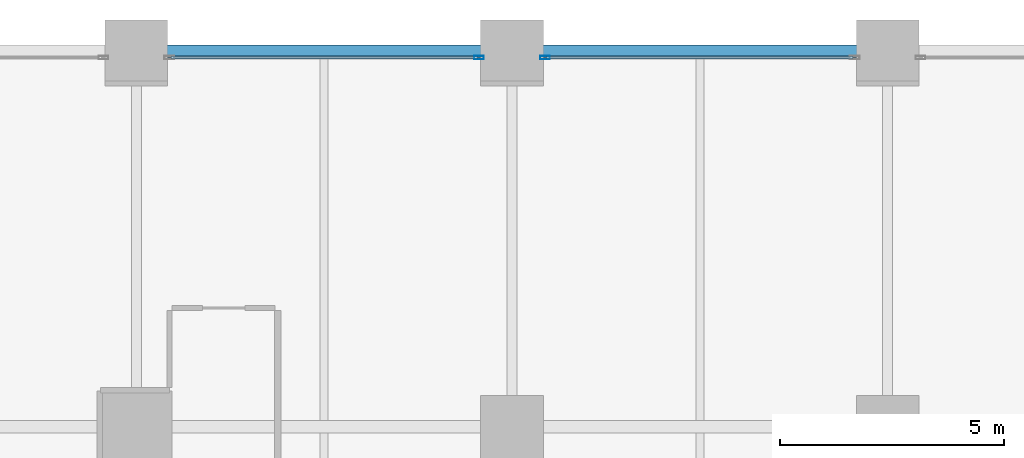
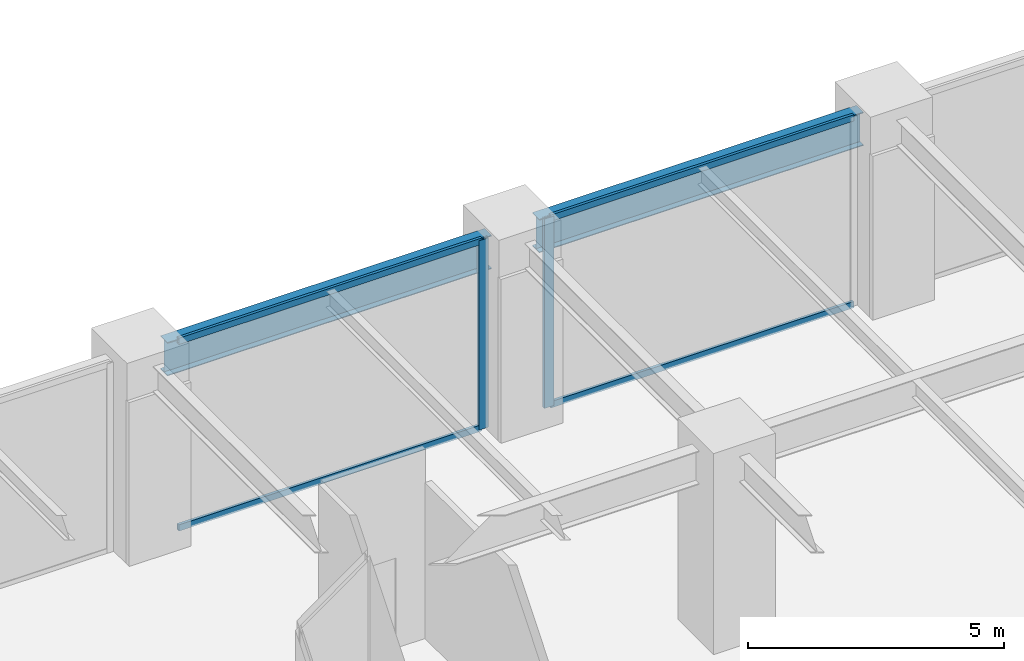
# One storey, part 13 of 23: 6 members, 2 beams, 2 elements without a shape of their own.
"""IFC4 building model written with IfcOpenShell, lengths in metres."""

from ifc_helpers import new_model, si_unit, direction, frame, origin, origin_2d, place, context, subcontext, project, spatial, hollow_rectangle, i_section, extrude, material, layer, layer_set, material_profile, profile_set, type_object, element, aggregate, save


model = new_model("IFC4")

# Units and contexts
model_context = context("Model", 3, precision=1e-05, world=origin(), true_north=direction((0.0, 1.0)))
body_context = subcontext(model_context, "Body", "Model", "MODEL_VIEW")
ifc_project = project(units=[si_unit("LENGTHUNIT", "METRE"), si_unit("AREAUNIT", "SQUARE_METRE"), si_unit("VOLUMEUNIT", "CUBIC_METRE"), si_unit("PLANEANGLEUNIT", "RADIAN"), si_unit("MASSUNIT", "GRAM", prefix="KILO")], contexts=[model_context])

# Site, building, storey
site_placement = place(None, origin())
site = spatial("IfcSite", under=ifc_project, at=site_placement, CompositionType="ELEMENT")
building_placement = place(site_placement, origin())
building = spatial("IfcBuilding", under=site, at=building_placement, Name="Nerrivon Quay Data Exchange", CompositionType="ELEMENT")
storey_placement = place(building_placement, frame((0.0, 0.0, 5.39990234375)))
storey = spatial("IfcBuildingStorey", under=building, at=storey_placement, Name="L01", CompositionType="ELEMENT", Elevation=5.39990234375)

# Beams
ifc_material_1 = material(Name="Steel Grade 350", Category="steel")
ifc_material_profile_1 = material_profile(ifc_material_1, i_section(OverallWidth=0.27490234375, OverallDepth=0.800048828125, WebThickness=0.010009765625, FlangeThickness=0.02001953125, at=origin_2d()), Name="800WB146")
ifc_profile_set_1 = profile_set([ifc_material_profile_1], Name="Steel Grade 350")
beam_type = type_object("IfcBeamType", Name="BM-G8-800WB146", PredefinedType="BEAM", material=ifc_profile_set_1)
beam_1_placement = place(storey_placement, frame((17.340087890625, 50.39990234375, 4.125), z_axis=(1.0, 0.0, 0.0), x_axis=(0.0, 1.0, 0.0)))
element("IfcBeam", 1, at=beam_1_placement, inside=storey, type_object=beam_type, Name="L01 EW Girder Y=50.4 (16.8..25.2)", PredefinedType="BEAM", context=body_context, shape_type="SweptSolid", body=[
    extrude(i_section(OverallWidth=0.27490234375, OverallDepth=0.800048828125, WebThickness=0.010009765625, FlangeThickness=0.02001953125, at=origin_2d()), origin(), (0.0, 0.0, 1.0), 7.31982421875),
])
beam_2_placement = place(storey_placement, frame((25.739990234375, 50.39990234375, 4.125), z_axis=(1.0, 0.0, 0.0), x_axis=(0.0, 1.0, 0.0)))
element("IfcBeam", 2, at=beam_2_placement, inside=storey, type_object=beam_type, Name="L01 EW Girder Y=50.4 (25.2..33.6)", PredefinedType="BEAM", context=body_context, shape_type="SweptSolid", body=[
    extrude(i_section(OverallWidth=0.27490234375, OverallDepth=0.800048828125, WebThickness=0.010009765625, FlangeThickness=0.02001953125, at=origin_2d()), origin(), (0.0, 0.0, 1.0), 7.320068359375),
])

# Curtain wall, member
ifc_material_2 = material(Name="Anodised aluminium 6063-T6", Category="aluminium")
ifc_layer = layer(ifc_material_2, 0.239990234375)
ifc_layer_set = layer_set([ifc_layer], Name="Anodised aluminium 6063-T6")
curtain_wall_type = type_object("IfcCurtainWallType", Name="CW-SYS-03", PredefinedType="NOTDEFINED", material=ifc_layer_set)
curtain_wall_1_placement = place(storey_placement, origin())
curtain_wall_1 = element("IfcCurtainWall", 3, at=curtain_wall_1_placement, inside=storey, type_object=curtain_wall_type, Name="L01 Unitised Curtain Wall 9", PredefinedType="NOTDEFINED")
ifc_material_profile_2 = material_profile(ifc_material_2, hollow_rectangle(XDim=0.074951171875, YDim=0.219970703125, WallThickness=0.00390625, at=origin_2d()), Name="ALU-MULL-220x75")
ifc_profile_set_2 = profile_set([ifc_material_profile_2], Name="Anodised aluminium 6063-T6")
member_type_1 = type_object("IfcMemberType", Name="CWM-220x75", PredefinedType="MULLION", material=ifc_profile_set_2)
member_1_placement = place(storey_placement, frame((24.46240234375, 50.260009765625, 0.0), z_axis=(0.0, 0.0, 1.0), x_axis=(0.0, 1.0, 0.0)))
member_1 = element("IfcMember", 4, at=member_1_placement, type_object=member_type_1, Name="CW03 mullion 2", PredefinedType="MULLION", context=body_context, shape_type="SweptSolid", body=[
    extrude(hollow_rectangle(XDim=0.074951171875, YDim=0.219970703125, WallThickness=0.00390625, at=origin_2d()), origin(), (0.0, 0.0, 1.0), 4.525146484375),
])

curtain_wall_2_placement = place(storey_placement, origin())
curtain_wall_2 = element("IfcCurtainWall", 5, at=curtain_wall_2_placement, inside=storey, type_object=curtain_wall_type, Name="L01 Unitised Curtain Wall 10", PredefinedType="NOTDEFINED")
member_2_placement = place(storey_placement, frame((25.9375, 50.260009765625, 0.0), z_axis=(0.0, 0.0, 1.0), x_axis=(0.0, 1.0, 0.0)))
member_2 = element("IfcMember", 6, at=member_2_placement, type_object=member_type_1, Name="CW03 mullion 1", PredefinedType="MULLION", context=body_context, shape_type="SweptSolid", body=[
    extrude(hollow_rectangle(XDim=0.074951171875, YDim=0.219970703125, WallThickness=0.00390625, at=origin_2d()), origin(), (0.0, 0.0, 1.0), 4.525146484375),
])

# Member
ifc_material_profile_3 = material_profile(ifc_material_2, hollow_rectangle(XDim=0.06494140625, YDim=0.14990234375, WallThickness=0.00341796875, at=origin_2d()), Name="ALU-TRAN-150x65")
ifc_profile_set_3 = profile_set([ifc_material_profile_3], Name="Anodised aluminium 6063-T6")
member_type_2 = type_object("IfcMemberType", Name="CWT-150x65", PredefinedType="USERDEFINED", material=ifc_profile_set_3)
member_3_placement = place(storey_placement, frame((17.574951171875, 50.260009765625, 0.03271484375), z_axis=(1.0, 0.0, 0.0), x_axis=(0.0, 1.0, 0.0)))
member_3 = element("IfcMember", 7, at=member_3_placement, type_object=member_type_2, Name="CW03 transom 1.1", ObjectType="TRANSOM", PredefinedType="USERDEFINED", context=body_context, shape_type="SweptSolid", body=[
    extrude(hollow_rectangle(XDim=0.06494140625, YDim=0.14990234375, WallThickness=0.00341796875, at=origin_2d()), origin(), (0.0, 0.0, 1.0), 6.85009765625),
])

member_4_placement = place(storey_placement, frame((17.574951171875, 50.260009765625, 4.49267578125), z_axis=(1.0, 0.0, 0.0), x_axis=(0.0, 1.0, 0.0)))
member_4 = element("IfcMember", 8, at=member_4_placement, type_object=member_type_2, Name="CW03 transom 1.2", ObjectType="TRANSOM", PredefinedType="USERDEFINED", context=body_context, shape_type="SweptSolid", body=[
    extrude(hollow_rectangle(XDim=0.06494140625, YDim=0.14990234375, WallThickness=0.00341796875, at=origin_2d()), origin(), (0.0, 0.0, 1.0), 6.85009765625),
])

aggregate(curtain_wall_1, [member_1, member_3, member_4])

member_5_placement = place(storey_placement, frame((25.97509765625, 50.260009765625, 0.03271484375), z_axis=(1.0, 0.0, 0.0), x_axis=(0.0, 1.0, 0.0)))
member_5 = element("IfcMember", 9, at=member_5_placement, type_object=member_type_2, Name="CW03 transom 1.1", ObjectType="TRANSOM", PredefinedType="USERDEFINED", context=body_context, shape_type="SweptSolid", body=[
    extrude(hollow_rectangle(XDim=0.06494140625, YDim=0.14990234375, WallThickness=0.00341796875, at=origin_2d()), origin(), (0.0, 0.0, 1.0), 6.849853515625),
])

member_6_placement = place(storey_placement, frame((25.97509765625, 50.260009765625, 4.49267578125), z_axis=(1.0, 0.0, 0.0), x_axis=(0.0, 1.0, 0.0)))
member_6 = element("IfcMember", 10, at=member_6_placement, type_object=member_type_2, Name="CW03 transom 1.2", ObjectType="TRANSOM", PredefinedType="USERDEFINED", context=body_context, shape_type="SweptSolid", body=[
    extrude(hollow_rectangle(XDim=0.06494140625, YDim=0.14990234375, WallThickness=0.00341796875, at=origin_2d()), origin(), (0.0, 0.0, 1.0), 6.849853515625),
])

aggregate(curtain_wall_2, [member_2, member_5, member_6])

save(model, "model.ifc")
